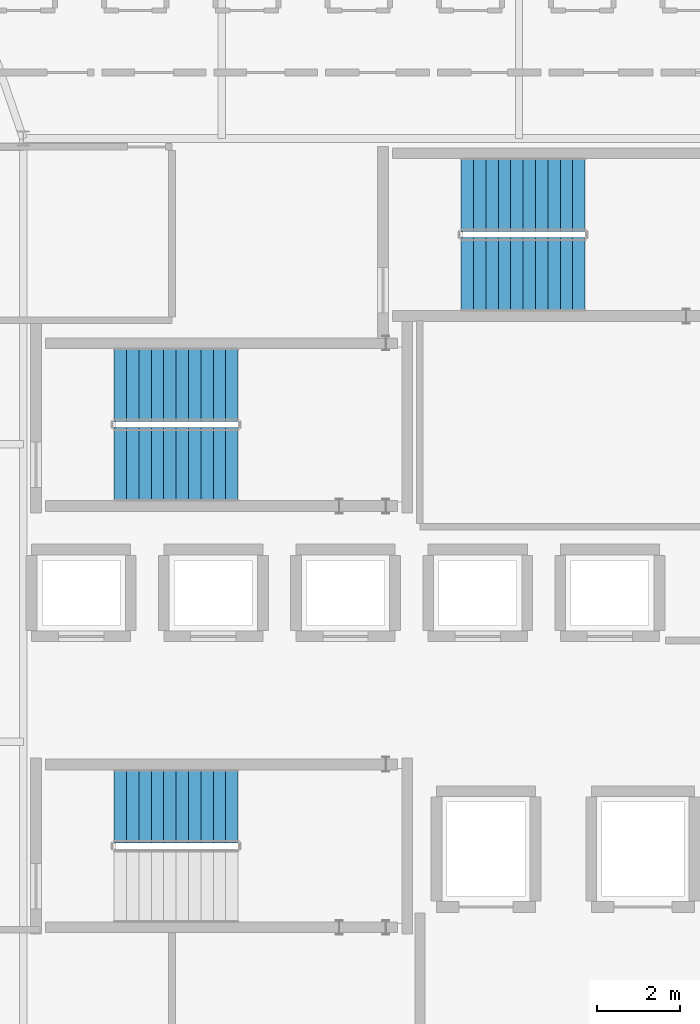
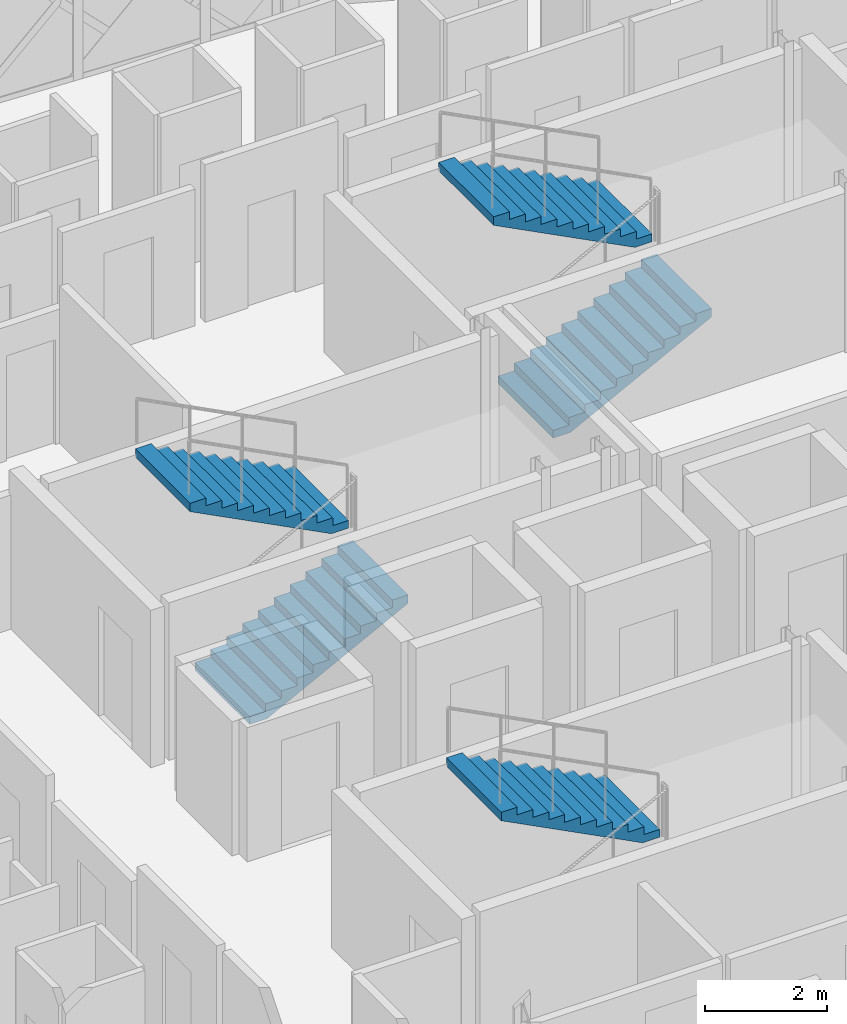
# One storey, part 19 of 24: 5 stair flights, 3 elements without a shape of their own.
"""IFC4 building model written with IfcOpenShell, lengths in metres."""

from ifc_helpers import new_model, si_unit, direction, frame, origin, place, context, subcontext, project, spatial, polyline, outline, extrude, material, layer, layer_set, type_object, element, aggregate, save


model = new_model("IFC4")

# Units and contexts
model_context = context("Model", 3, precision=1e-05, world=origin(), true_north=direction((0.0, 1.0)))
body_context = subcontext(model_context, "Body", "Model", "MODEL_VIEW")
ifc_project = project(units=[si_unit("LENGTHUNIT", "METRE"), si_unit("AREAUNIT", "SQUARE_METRE"), si_unit("VOLUMEUNIT", "CUBIC_METRE"), si_unit("PLANEANGLEUNIT", "RADIAN"), si_unit("MASSUNIT", "GRAM", prefix="KILO")], contexts=[model_context])

# Site, building, storey
site_placement = place(None, origin())
site = spatial("IfcSite", under=ifc_project, at=site_placement, CompositionType="ELEMENT")
building_placement = place(site_placement, origin())
building = spatial("IfcBuilding", under=site, at=building_placement, Name="Zevrakil Square Congress Hotel", CompositionType="ELEMENT")
storey_placement = place(building_placement, frame((0.0, 0.0, 38.5)))
storey = spatial("IfcBuildingStorey", under=building, at=storey_placement, Name="L11", CompositionType="ELEMENT", Elevation=38.5)

# Stair, stair flight
ifc_material_1 = material(Name="Concrete C35/45", Category="concrete")
stair_type = type_object("IfcStairType", Name="STR-DOGLEG-180", PredefinedType="HALF_TURN_STAIR", material=ifc_material_1)
stair_1_placement = place(storey_placement, origin())
stair_1 = element("IfcStair", 1, at=stair_1_placement, inside=storey, type_object=stair_type, Name="L11 Protected exit stair ST01", PredefinedType="HALF_TURN_STAIR")
ifc_material_2 = material(Name="Concrete C35/45", Category="concrete")
ifc_layer = layer(ifc_material_2, 0.159912109375)
ifc_layer_set = layer_set([ifc_layer], Name="Concrete C35/45")
stair_flight_type = type_object("IfcStairFlightType", Name="SFL-STRAIGHT-180", PredefinedType="STRAIGHT", material=ifc_layer_set)
stair_flight_1_placement = place(storey_placement, frame((142.0, 22.449951171875, 1.699951171875), z_axis=(0.0, 0.0, 1.0), x_axis=(-1.0, 0.0, 0.0)))
stair_flight_1 = element("IfcStairFlight", 2, at=stair_flight_1_placement, type_object=stair_flight_type, Name="ST01 flight 2", NumberOfRisers=11, NumberOfTreads=10, PredefinedType="STRAIGHT", RiserHeight=0.154545455, TreadLength=0.3, context=body_context, shape_type="SweptSolid", body=[
    extrude(outline(polyline([(0.0, 0.0), (0.0, 0.154541015625), (0.300048828125, 0.154541015625), (0.300048828125, 0.30908203125), (0.60009765625, 0.30908203125), (0.60009765625, 0.463623046875), (0.89990234375, 0.463623046875), (0.89990234375, 0.6181640625), (1.199951171875, 0.6181640625), (1.199951171875, 0.772705078125), (1.5, 0.772705078125), (1.5, 0.92724609375), (1.800048828125, 0.92724609375), (1.800048828125, 1.081787109375), (2.10009765625, 1.081787109375), (2.10009765625, 1.236328125), (2.39990234375, 1.236328125), (2.39990234375, 1.390869140625), (2.699951171875, 1.390869140625), (2.699951171875, 1.54541015625), (3.0, 1.54541015625), (3.0, 1.699951171875), (3.0, 1.376708984375), (0.327392578125, 0.0), (0.0, 0.0)])), frame((0.0, 0.89990234375, 0.0), z_axis=(0.0, -1.0, 0.0), x_axis=(1.0, 0.0, 0.0)), (0.0, 0.0, 1.0), 1.800048828125),
])
aggregate(stair_1, [stair_flight_1])

# Stair, stair flights
stair_2_placement = place(storey_placement, origin())
stair_2 = element("IfcStair", 3, at=stair_2_placement, inside=storey, type_object=stair_type, Name="L11 Protected exit stair ST02", PredefinedType="HALF_TURN_STAIR")
stair_flight_2_placement = place(storey_placement, frame((139.0, 30.699951171875, 0.0), z_axis=(0.0, 0.0, 1.0), x_axis=(1.0, 0.0, 0.0)))
stair_flight_2 = element("IfcStairFlight", 4, at=stair_flight_2_placement, type_object=stair_flight_type, Name="ST02 flight 1", NumberOfRisers=11, NumberOfTreads=10, PredefinedType="STRAIGHT", RiserHeight=0.154545455, TreadLength=0.3, context=body_context, shape_type="SweptSolid", body=[
    extrude(outline(polyline([(0.0, 0.0), (0.0, 0.154541015625), (0.300048828125, 0.154541015625), (0.300048828125, 0.30908203125), (0.60009765625, 0.30908203125), (0.60009765625, 0.463623046875), (0.89990234375, 0.463623046875), (0.89990234375, 0.6181640625), (1.199951171875, 0.6181640625), (1.199951171875, 0.772705078125), (1.5, 0.772705078125), (1.5, 0.92724609375), (1.800048828125, 0.92724609375), (1.800048828125, 1.081787109375), (2.10009765625, 1.081787109375), (2.10009765625, 1.236328125), (2.39990234375, 1.236328125), (2.39990234375, 1.390869140625), (2.699951171875, 1.390869140625), (2.699951171875, 1.54541015625), (3.0, 1.54541015625), (3.0, 1.699951171875), (3.0, 1.376708984375), (0.327392578125, 0.0), (0.0, 0.0)])), frame((0.0, 0.89990234375, 0.0), z_axis=(0.0, -1.0, 0.0), x_axis=(1.0, 0.0, 0.0)), (0.0, 0.0, 1.0), 1.800048828125),
])
stair_flight_3_placement = place(storey_placement, frame((142.0, 32.64990234375, 1.699951171875), z_axis=(0.0, 0.0, 1.0), x_axis=(-1.0, 0.0, 0.0)))
stair_flight_3 = element("IfcStairFlight", 5, at=stair_flight_3_placement, type_object=stair_flight_type, Name="ST02 flight 2", NumberOfRisers=11, NumberOfTreads=10, PredefinedType="STRAIGHT", RiserHeight=0.154545455, TreadLength=0.3, context=body_context, shape_type="SweptSolid", body=[
    extrude(outline(polyline([(0.0, 0.0), (0.0, 0.154541015625), (0.300048828125, 0.154541015625), (0.300048828125, 0.30908203125), (0.60009765625, 0.30908203125), (0.60009765625, 0.463623046875), (0.89990234375, 0.463623046875), (0.89990234375, 0.6181640625), (1.199951171875, 0.6181640625), (1.199951171875, 0.772705078125), (1.5, 0.772705078125), (1.5, 0.92724609375), (1.800048828125, 0.92724609375), (1.800048828125, 1.081787109375), (2.10009765625, 1.081787109375), (2.10009765625, 1.236328125), (2.39990234375, 1.236328125), (2.39990234375, 1.390869140625), (2.699951171875, 1.390869140625), (2.699951171875, 1.54541015625), (3.0, 1.54541015625), (3.0, 1.699951171875), (3.0, 1.376708984375), (0.327392578125, 0.0), (0.0, 0.0)])), frame((0.0, 0.89990234375, 0.0), z_axis=(0.0, -1.0, 0.0), x_axis=(1.0, 0.0, 0.0)), (0.0, 0.0, 1.0), 1.800048828125),
])
aggregate(stair_2, [stair_flight_2, stair_flight_3])

stair_3_placement = place(storey_placement, origin())
stair_3 = element("IfcStair", 6, at=stair_3_placement, inside=storey, type_object=stair_type, Name="L11 Protected exit stair ST03", PredefinedType="HALF_TURN_STAIR")
stair_flight_4_placement = place(storey_placement, frame((147.39990234375, 35.300048828125, 0.0), z_axis=(0.0, 0.0, 1.0), x_axis=(1.0, 0.0, 0.0)))
stair_flight_4 = element("IfcStairFlight", 7, at=stair_flight_4_placement, type_object=stair_flight_type, Name="ST03 flight 1", NumberOfRisers=11, NumberOfTreads=10, PredefinedType="STRAIGHT", RiserHeight=0.154545455, TreadLength=0.3, context=body_context, shape_type="SweptSolid", body=[
    extrude(outline(polyline([(0.0, 0.0), (0.0, 0.154541015625), (0.300048828125, 0.154541015625), (0.300048828125, 0.30908203125), (0.60009765625, 0.30908203125), (0.60009765625, 0.463623046875), (0.89990234375, 0.463623046875), (0.89990234375, 0.6181640625), (1.199951171875, 0.6181640625), (1.199951171875, 0.772705078125), (1.5, 0.772705078125), (1.5, 0.92724609375), (1.800048828125, 0.92724609375), (1.800048828125, 1.081787109375), (2.10009765625, 1.081787109375), (2.10009765625, 1.236328125), (2.39990234375, 1.236328125), (2.39990234375, 1.390869140625), (2.699951171875, 1.390869140625), (2.699951171875, 1.54541015625), (3.0, 1.54541015625), (3.0, 1.699951171875), (3.0, 1.376708984375), (0.327392578125, 0.0), (0.0, 0.0)])), frame((0.0, 0.89990234375, 0.0), z_axis=(0.0, -1.0, 0.0), x_axis=(1.0, 0.0, 0.0)), (0.0, 0.0, 1.0), 1.800048828125),
])
stair_flight_5_placement = place(storey_placement, frame((150.39990234375, 37.25, 1.699951171875), z_axis=(0.0, 0.0, 1.0), x_axis=(-1.0, 0.0, 0.0)))
stair_flight_5 = element("IfcStairFlight", 8, at=stair_flight_5_placement, type_object=stair_flight_type, Name="ST03 flight 2", NumberOfRisers=11, NumberOfTreads=10, PredefinedType="STRAIGHT", RiserHeight=0.154545455, TreadLength=0.3, context=body_context, shape_type="SweptSolid", body=[
    extrude(outline(polyline([(0.0, 0.0), (0.0, 0.154541015625), (0.300048828125, 0.154541015625), (0.300048828125, 0.30908203125), (0.60009765625, 0.30908203125), (0.60009765625, 0.463623046875), (0.89990234375, 0.463623046875), (0.89990234375, 0.6181640625), (1.199951171875, 0.6181640625), (1.199951171875, 0.772705078125), (1.5, 0.772705078125), (1.5, 0.92724609375), (1.800048828125, 0.92724609375), (1.800048828125, 1.081787109375), (2.10009765625, 1.081787109375), (2.10009765625, 1.236328125), (2.39990234375, 1.236328125), (2.39990234375, 1.390869140625), (2.699951171875, 1.390869140625), (2.699951171875, 1.54541015625), (3.0, 1.54541015625), (3.0, 1.699951171875), (3.0, 1.376708984375), (0.327392578125, 0.0), (0.0, 0.0)])), frame((0.0, 0.89990234375, 0.0), z_axis=(0.0, -1.0, 0.0), x_axis=(1.0, 0.0, 0.0)), (0.0, 0.0, 1.0), 1.800048828125),
])
aggregate(stair_3, [stair_flight_4, stair_flight_5])

save(model, "model.ifc")
